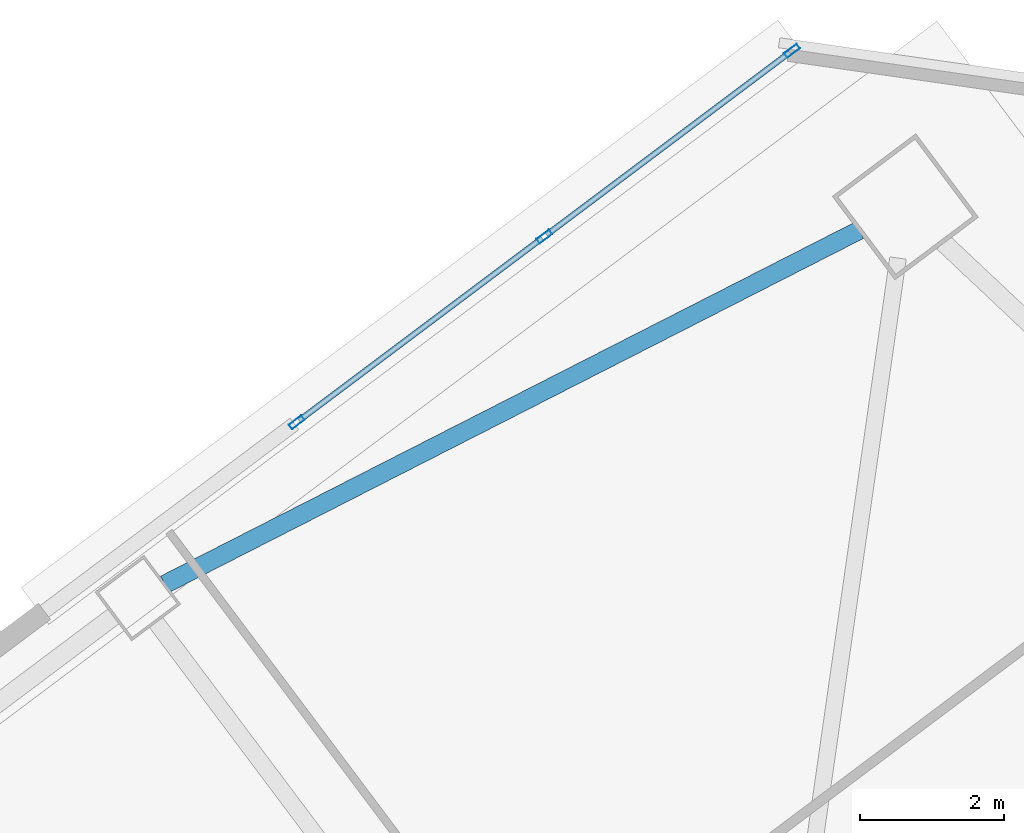
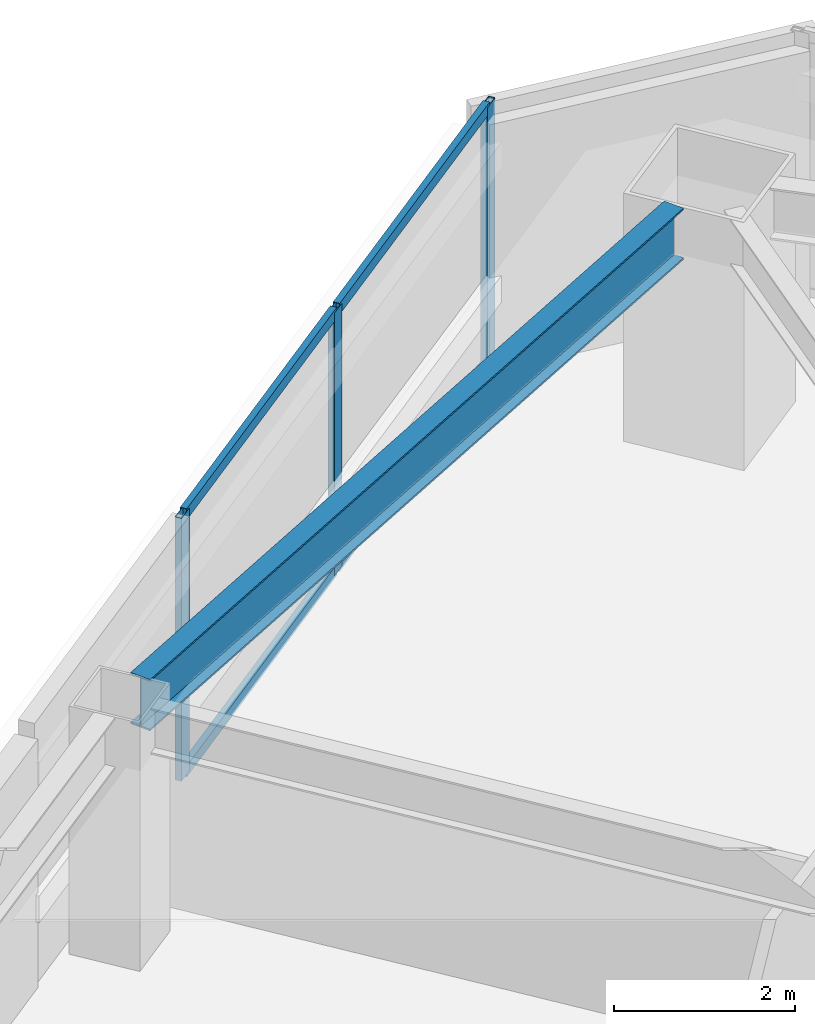
# One storey, part 28 of 44: 7 members, 1 beam, 1 element without a shape of its own.
"""IFC4 building model written with IfcOpenShell, lengths in metres."""

from ifc_helpers import new_model, si_unit, direction, frame, origin, origin_2d, place, context, subcontext, project, spatial, hollow_rectangle, i_section, extrude, material, material_profile, profile_set, type_object, element, aggregate, save


model = new_model("IFC4")

# Units and contexts
model_context = context("Model", 3, precision=1e-05, world=origin(), true_north=direction((0.0, 1.0)))
body_context = subcontext(model_context, "Body", "Model", "MODEL_VIEW")
ifc_project = project(units=[si_unit("LENGTHUNIT", "METRE"), si_unit("AREAUNIT", "SQUARE_METRE"), si_unit("VOLUMEUNIT", "CUBIC_METRE"), si_unit("PLANEANGLEUNIT", "RADIAN"), si_unit("MASSUNIT", "GRAM", prefix="KILO")], contexts=[model_context])

# Site, building, storey
site_placement = place(None, origin())
site = spatial("IfcSite", under=ifc_project, at=site_placement, CompositionType="ELEMENT")
building_placement = place(site_placement, origin())
building = spatial("IfcBuilding", under=site, at=building_placement, Name="Tashvorn Skyway Center", CompositionType="ELEMENT")
storey_placement = place(building_placement, frame((0.0, 0.0, 95.60009765625)))
storey = spatial("IfcBuildingStorey", under=building, at=storey_placement, Name="L25", CompositionType="ELEMENT", Elevation=95.60009765625)

# Beam
ifc_material_1 = material(Name="Steel ASTM A992 Grade 50", Category="steel")
ifc_material_profile_1 = material_profile(ifc_material_1, i_section(OverallWidth=0.256103515625, OverallDepth=0.693115234375, WebThickness=0.014404296875, FlangeThickness=0.023681640625, at=origin_2d()), Name="W27X114")
ifc_profile_set_1 = profile_set([ifc_material_profile_1], Name="Steel ASTM A992 Grade 50")
beam_type = type_object("IfcBeamType", Name="BM-SPANDREL-W27X114", PredefinedType="SPANDREL", material=ifc_profile_set_1)
beam_placement = place(storey_placement, frame((116.798583984375, 55.7529296875, 3.00341796875), z_axis=(-0.890894170442, -0.454210938961, 0.0), x_axis=(0.454210938961, -0.890894170442, 0.0)))
element("IfcBeam", 1, at=beam_placement, inside=storey, type_object=beam_type, Name="Tower 2 L25 Spandrel Beam 07", PredefinedType="SPANDREL", context=body_context, shape_type="SweptSolid", body=[
    extrude(i_section(OverallWidth=0.256103515625, OverallDepth=0.693115234375, WebThickness=0.014404296875, FlangeThickness=0.023681640625, at=origin_2d()), origin(), (0.0, 0.0, 1.0), 10.836669921875),
])

# Curtain wall, members
ifc_material_2 = material(Name="Thermally broken bronze-anodized aluminium 6063-T6", Category="aluminium")
curtain_wall_type = type_object("IfcCurtainWallType", Name="CW-CW-Z2", PredefinedType="NOTDEFINED", material=ifc_material_2)
curtain_wall_placement = place(storey_placement, origin())
curtain_wall = element("IfcCurtainWall", 2, at=curtain_wall_placement, inside=storey, type_object=curtain_wall_type, Name="Tower 2 L25 North Curtain Wall R Glazing Group 1", PredefinedType="NOTDEFINED")
ifc_material_profile_2 = material_profile(ifc_material_2, hollow_rectangle(XDim=0.080078125, YDim=0.219970703125, WallThickness=0.0048828125, at=origin_2d()), Name="ALU-MULL-80x220")
ifc_profile_set_2 = profile_set([ifc_material_profile_2], Name="Thermally broken bronze-anodized aluminium 6063-T6")
member_type_1 = type_object("IfcMemberType", Name="CWM-CW-Z2", PredefinedType="MULLION", material=ifc_profile_set_2)
member_1_placement = place(storey_placement, frame((108.978759765625, 53.083984375, 0.0), z_axis=(0.0, 0.0, 1.0), x_axis=(-0.600001841909, 0.799998618565, 0.0)))
member_1 = element("IfcMember", 3, at=member_1_placement, type_object=member_type_1, Name="CW-Z2 mullion 1", PredefinedType="MULLION", context=body_context, shape_type="SweptSolid", body=[
    extrude(hollow_rectangle(XDim=0.080078125, YDim=0.219970703125, WallThickness=0.0048828125, at=origin_2d()), origin(), (0.0, 0.0, 1.0), 3.5498046875),
])
member_2_placement = place(storey_placement, frame((112.42138671875, 55.666015625, 0.0), z_axis=(0.0, 0.0, 1.0), x_axis=(-0.600001841909, 0.799998618565, 0.0)))
member_2 = element("IfcMember", 4, at=member_2_placement, type_object=member_type_1, Name="CW-Z2 mullion 2", PredefinedType="MULLION", context=body_context, shape_type="SweptSolid", body=[
    extrude(hollow_rectangle(XDim=0.080078125, YDim=0.219970703125, WallThickness=0.0048828125, at=origin_2d()), origin(), (0.0, 0.0, 1.0), 3.5498046875),
])
member_3_placement = place(storey_placement, frame((115.864013671875, 58.248046875, 0.0), z_axis=(0.0, 0.0, 1.0), x_axis=(-0.600001841909, 0.799998618565, 0.0)))
member_3 = element("IfcMember", 5, at=member_3_placement, type_object=member_type_1, Name="CW-Z2 mullion 3", PredefinedType="MULLION", context=body_context, shape_type="SweptSolid", body=[
    extrude(hollow_rectangle(XDim=0.080078125, YDim=0.219970703125, WallThickness=0.0048828125, at=origin_2d()), origin(), (0.0, 0.0, 1.0), 3.5498046875),
])
ifc_material_profile_3 = material_profile(ifc_material_2, hollow_rectangle(XDim=0.080078125, YDim=0.14990234375, WallThickness=0.00439453125, at=origin_2d()), Name="ALU-TRAN-80x150")
ifc_profile_set_3 = profile_set([ifc_material_profile_3], Name="Thermally broken bronze-anodized aluminium 6063-T6")
member_type_2 = type_object("IfcMemberType", Name="CWT-CW-Z2", PredefinedType="USERDEFINED", material=ifc_profile_set_3)
member_4_placement = place(storey_placement, frame((109.0107421875, 53.10791015625, 0.039794921875), z_axis=(0.799979189308, 0.600027746587, 0.0), x_axis=(-0.600027746587, 0.799979189308, 0.0)))
member_4 = element("IfcMember", 6, at=member_4_placement, type_object=member_type_2, Name="CW-Z2 transom 1.1", ObjectType="TRANSOM", PredefinedType="USERDEFINED", context=body_context, shape_type="SweptSolid", body=[
    extrude(hollow_rectangle(XDim=0.080078125, YDim=0.14990234375, WallThickness=0.00439453125, at=origin_2d()), origin(), (0.0, 0.0, 1.0), 4.223388671875),
])
member_5_placement = place(storey_placement, frame((109.0107421875, 53.10791015625, 3.510009765625), z_axis=(0.799979189308, 0.600027746587, 0.0), x_axis=(-0.600027746587, 0.799979189308, 0.0)))
member_5 = element("IfcMember", 7, at=member_5_placement, type_object=member_type_2, Name="CW-Z2 transom 1.2", ObjectType="TRANSOM", PredefinedType="USERDEFINED", context=body_context, shape_type="SweptSolid", body=[
    extrude(hollow_rectangle(XDim=0.080078125, YDim=0.14990234375, WallThickness=0.00439453125, at=origin_2d()), origin(), (0.0, 0.0, 1.0), 4.223388671875),
])
member_6_placement = place(storey_placement, frame((112.453369140625, 55.68994140625, 0.039794921875), z_axis=(0.799979189308, 0.600027746587, 0.0), x_axis=(-0.600027746587, 0.799979189308, 0.0)))
member_6 = element("IfcMember", 8, at=member_6_placement, type_object=member_type_2, Name="CW-Z2 transom 2.1", ObjectType="TRANSOM", PredefinedType="USERDEFINED", context=body_context, shape_type="SweptSolid", body=[
    extrude(hollow_rectangle(XDim=0.080078125, YDim=0.14990234375, WallThickness=0.00439453125, at=origin_2d()), origin(), (0.0, 0.0, 1.0), 4.223388671875),
])
member_7_placement = place(storey_placement, frame((112.453369140625, 55.68994140625, 3.510009765625), z_axis=(0.799979189308, 0.600027746587, 0.0), x_axis=(-0.600027746587, 0.799979189308, 0.0)))
member_7 = element("IfcMember", 9, at=member_7_placement, type_object=member_type_2, Name="CW-Z2 transom 2.2", ObjectType="TRANSOM", PredefinedType="USERDEFINED", context=body_context, shape_type="SweptSolid", body=[
    extrude(hollow_rectangle(XDim=0.080078125, YDim=0.14990234375, WallThickness=0.00439453125, at=origin_2d()), origin(), (0.0, 0.0, 1.0), 4.223388671875),
])
aggregate(curtain_wall, [member_1, member_2, member_3, member_4, member_5, member_6, member_7])

save(model, "model.ifc")
